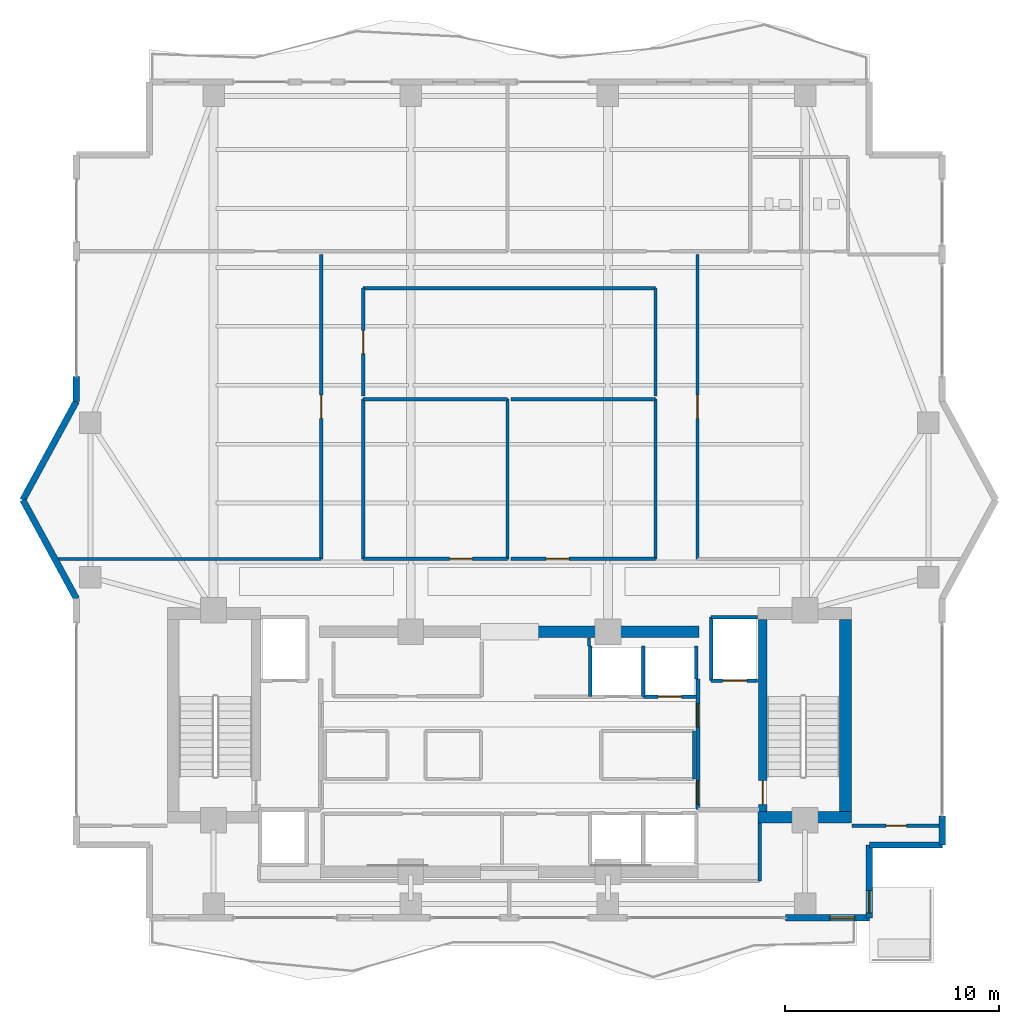
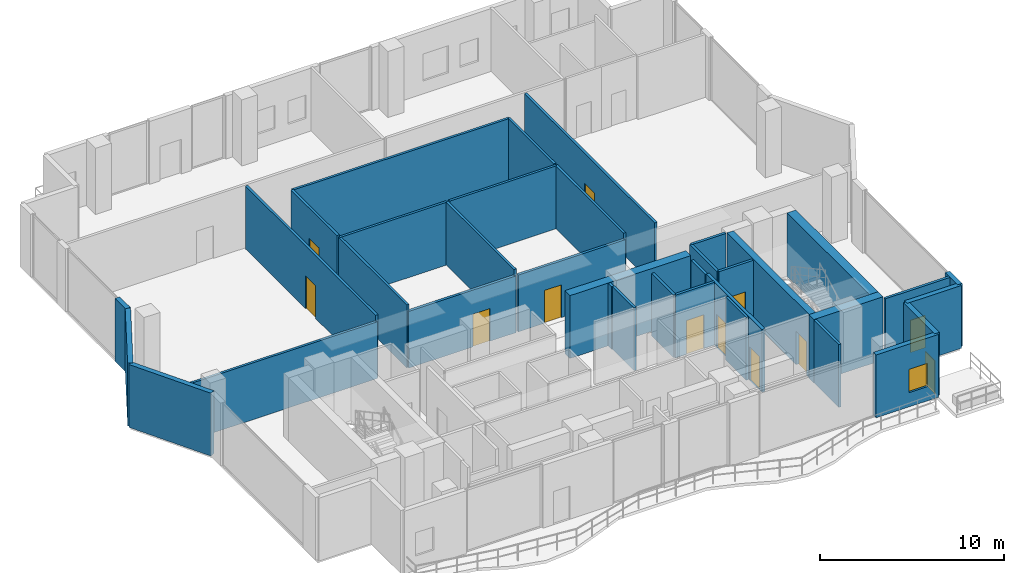
# One storey, part 18 of 23: 36 walls, 12 doors, 1 window, 13 openings.
"""IFC4 building model written with IfcOpenShell, lengths in metres."""

from ifc_helpers import new_model, si_unit, direction, frame, frame_2d, origin, place, context, subcontext, project, spatial, rectangle, extrude, material, layer, layer_set, type_object, element, fill, save


model = new_model("IFC4")

# Units and contexts
model_context = context("Model", 3, precision=1e-05, world=origin(), true_north=direction((0.0, 1.0)))
body_context = subcontext(model_context, "Body", "Model", "MODEL_VIEW")
ifc_project = project(units=[si_unit("LENGTHUNIT", "METRE"), si_unit("AREAUNIT", "SQUARE_METRE"), si_unit("VOLUMEUNIT", "CUBIC_METRE"), si_unit("PLANEANGLEUNIT", "RADIAN"), si_unit("MASSUNIT", "GRAM", prefix="KILO")], contexts=[model_context])

# Site, building, storey
site_placement = place(None, origin())
site = spatial("IfcSite", under=ifc_project, at=site_placement, CompositionType="ELEMENT")
building_placement = place(site_placement, origin())
building = spatial("IfcBuilding", under=site, at=building_placement, Name="Zuhayl Quay Hotel", CompositionType="ELEMENT")
storey_placement = place(building_placement, frame((0.0, 0.0, 288.449951171875)))
storey = spatial("IfcBuildingStorey", under=building, at=storey_placement, Name="L73", CompositionType="ELEMENT", Elevation=288.449951171875)

# Walls
ifc_material_1 = material(Name="Concrete C50/60", Category="concrete")
ifc_layer_1 = layer(ifc_material_1, 0.550048828125, Name="Concrete C50/60", Category="concrete")
ifc_layer_set_1 = layer_set([ifc_layer_1], Name="Concrete C50/60")
wall_type_1 = type_object("IfcWallType", Name="WL_CORE_550", PredefinedType="SHEAR", material=ifc_layer_set_1)
wall_1_placement = place(storey_placement, frame((15.68505859375, 4.969970703125, 0.0), z_axis=(0.0, 0.0, 1.0), x_axis=(0.0, 1.0, 0.0)))
element("IfcWall", 1, at=wall_1_placement, inside=storey, type_object=wall_type_1, Name="L73 Core Shear Wall CW_E", PredefinedType="SHEAR", context=body_context, shape_type="SweptSolid", body=[
    extrude(rectangle(XDim=8.9599609375, YDim=0.550048828125, at=frame_2d((4.47998046875, 0.0))), origin(), (0.0, 0.0, 1.0), 4.2099609375),
])
wall_2_placement = place(storey_placement, frame((11.60009765625, 4.695068359375, 0.0), z_axis=(0.0, 0.0, 1.0), x_axis=(1.0, 0.0, 0.0)))
element("IfcWall", 2, at=wall_2_placement, inside=storey, type_object=wall_type_1, Name="L73 Core Shear Wall CW_SE", PredefinedType="SHEAR", context=body_context, shape_type="SweptSolid", body=[
    extrude(rectangle(XDim=4.35986328125, YDim=0.550048828125, at=frame_2d((2.179931640625, 0.0))), origin(), (0.0, 0.0, 1.0), 4.2099609375),
])
wall_3_placement = place(storey_placement, frame((1.25, 13.35009765625, 0.0), z_axis=(0.0, 0.0, 1.0), x_axis=(1.0, 0.0, 0.0)))
element("IfcWall", 3, at=wall_3_placement, inside=storey, type_object=wall_type_1, Name="L73 Core Shear Wall CW_NC_E", PredefinedType="SHEAR", context=body_context, shape_type="SweptSolid", body=[
    extrude(rectangle(XDim=7.60009765625, YDim=0.550048828125, at=frame_2d((3.800048828125, 0.0))), origin(), (0.0, 0.0, 1.0), 4.179931640625),
])
ifc_material_2 = material(Name="Precast concrete C45/55", Category="concrete")
ifc_layer_2 = layer(ifc_material_2, 0.300048828125, Name="Precast concrete C45/55", Category="concrete")
ifc_layer_set_2 = layer_set([ifc_layer_2], Name="Precast concrete C45/55")
wall_type_2 = type_object("IfcWallType", Name="WL_EXT_300", PredefinedType="STANDARD", material=ifc_layer_set_2)
for number, where, z_axis, x_axis, name in (
    (4, (-20.199951171875, 14.89990234375, 0.0), (0.0, 0.0, 1.0), (-0.477505494629, 0.878628762675, 0.0), "L73 Exterior Precast Wall ENV_L73_EW03"),
    (5, (-22.699951171875, 19.5, 0.0), (0.0, 0.0, 1.0), (0.477505494629, 0.878628762675, 0.0), "L73 Exterior Precast Wall ENV_L73_EW04"),
):
    element("IfcWall", number, at=place(storey_placement, frame(where, z_axis=z_axis, x_axis=x_axis)), inside=storey, type_object=wall_type_2, Name=name, PredefinedType="STANDARD", context=body_context, shape_type="SweptSolid", body=[
        extrude(rectangle(XDim=5.235595703125, YDim=0.300048828125, at=frame_2d((2.61767578125, 0.0))), origin(), (0.0, 0.0, 1.0), 4.179931640625),
    ])
wall_4_placement = place(storey_placement, frame((-20.199951171875, 24.10009765625, 0.0), z_axis=(0.0, 0.0, 1.0), x_axis=(0.0, 1.0, 0.0)))
element("IfcWall", 6, at=wall_4_placement, inside=storey, type_object=wall_type_2, Name="L73 Exterior Precast Wall ENV_L73_E05_EW1", PredefinedType="STANDARD", context=body_context, shape_type="SweptSolid", body=[
    extrude(rectangle(XDim=1.14990234375, YDim=0.300048828125, at=frame_2d((0.574951171875, 0.0))), origin(), (0.0, 0.0, 1.0), 4.179931640625),
])
wall_5_placement = place(storey_placement, frame((20.199951171875, 4.75, 0.0), z_axis=(0.0, 0.0, 1.0), x_axis=(0.0, -1.0, 0.0)))
element("IfcWall", 7, at=wall_5_placement, inside=storey, type_object=wall_type_2, Name="L73 Exterior Precast Wall ENV_L73_E14_EW2", PredefinedType="STANDARD", context=body_context, shape_type="SweptSolid", body=[
    extrude(rectangle(XDim=1.35009765625, YDim=0.300048828125, at=frame_2d((0.675048828125, 0.0))), origin(), (0.0, 0.0, 1.0), 4.179931640625),
])
wall_6_placement = place(storey_placement, frame((20.199951171875, 3.39990234375, 0.0), z_axis=(0.0, 0.0, 1.0), x_axis=(-1.0, 0.0, 0.0)))
element("IfcWall", 8, at=wall_6_placement, inside=storey, type_object=wall_type_2, Name="L73 Exterior Precast Wall ENV_L73_EW15", PredefinedType="STANDARD", context=body_context, shape_type="SweptSolid", body=[
    extrude(rectangle(XDim=3.39990234375, YDim=0.300048828125, at=frame_2d((1.699951171875, 0.0))), origin(), (0.0, 0.0, 1.0), 4.179931640625),
])

# Wall, opening, door
wall_7_placement = place(storey_placement, frame((16.800048828125, 3.39990234375, 0.0), z_axis=(0.0, 0.0, 1.0), x_axis=(0.0, -1.0, 0.0)))
wall_7 = element("IfcWall", 9, at=wall_7_placement, inside=storey, type_object=wall_type_2, Name="L73 Exterior Precast Wall ENV_L73_SP_SE", PredefinedType="STANDARD", context=body_context, shape_type="SweptSolid", body=[
    extrude(rectangle(XDim=3.39990234375, YDim=0.300048828125, at=frame_2d((1.699951171875, 0.0))), origin(), (0.0, 0.0, 1.0), 4.179931640625),
])
opening_1_placement = place(wall_7_placement, frame((2.1298828125, 0.0, 0.0)))
opening_1 = element("IfcOpeningElement", 10, at=opening_1_placement, cuts=wall_7, Name="Opening DG1", PredefinedType="OPENING", context=body_context, shape_type="SweptSolid", body=[
    extrude(rectangle(XDim=1.050048828125, YDim=2.199951171875, at=frame_2d((0.52490234375, 1.10009765625))), frame((0.0, 0.159912109375, 0.0), z_axis=(0.0, -1.0, 0.0), x_axis=(1.0, 0.0, 0.0)), (0.0, 0.0, 1.0), 0.320068359375),
])
ifc_material_3 = material(Name="Anodised Aluminium and Dark Solar Glass", Category="aluminium")
door_type_1 = type_object("IfcDoorType", Name="DR_EXT_TERR_1050", OperationType="NOTDEFINED", PredefinedType="DOOR", material=ifc_material_3)
door_1_placement = place(opening_1_placement, origin())
door_1 = element("IfcDoor", 11, at=door_1_placement, inside=storey, type_object=door_type_1, Name="L73 Spiral Sky-Terrace SE Access Door", OperationType="SINGLE_SWING_LEFT", OverallHeight=2.199951171875, OverallWidth=1.050048828125, PredefinedType="DOOR", context=body_context, shape_type="SweptSolid", body=[
    extrude(rectangle(XDim=1.050048828125, YDim=2.199951171875, at=frame_2d((0.52490234375, 1.10009765625))), frame((0.0, 0.02490234375, 0.0), z_axis=(0.0, -1.0, 0.0), x_axis=(1.0, 0.0, 0.0)), (0.0, 0.0, 1.0), 0.050048828125),
])
fill(opening_1, door_1)

# Wall, opening, window
wall_8_placement = place(storey_placement, frame((16.800048828125, 0.0, 0.0), z_axis=(0.0, 0.0, 1.0), x_axis=(-1.0, 0.0, 0.0)))
wall_8 = element("IfcWall", 12, at=wall_8_placement, inside=storey, type_object=wall_type_2, Name="L73 Exterior Precast Wall ENV_L73_S_EW1", PredefinedType="STANDARD", context=body_context, shape_type="SweptSolid", body=[
    extrude(rectangle(XDim=3.920166015625, YDim=0.300048828125, at=frame_2d((1.9599609375, 0.0))), origin(), (0.0, 0.0, 1.0), 4.179931640625),
])
opening_2_placement = place(wall_8_placement, frame((0.695068359375, 0.0, 0.949951171875)))
opening_2 = element("IfcOpeningElement", 13, at=opening_2_placement, cuts=wall_8, Name="Opening W01N", PredefinedType="OPENING", context=body_context, shape_type="SweptSolid", body=[
    extrude(rectangle(XDim=1.14990234375, YDim=1.550048828125, at=frame_2d((0.574951171875, 0.77490234375))), frame((0.0, 0.159912109375, 0.0), z_axis=(0.0, -1.0, 0.0), x_axis=(1.0, 0.0, 0.0)), (0.0, 0.0, 1.0), 0.320068359375),
])
ifc_material_4 = material(Name="Dark Ceramic-Fritted Solar Glass", Category="glass")
window_type = type_object("IfcWindowType", Name="WN_NOTCH_1350", PartitioningType="SINGLE_PANEL", PredefinedType="WINDOW", material=ifc_material_4)
window_placement = place(opening_2_placement, origin())
window = element("IfcWindow", 14, at=window_placement, inside=storey, type_object=window_type, Name="L73 Operable Facade Window 1-1", OverallHeight=1.550048828125, OverallWidth=1.14990234375, PartitioningType="SINGLE_PANEL", PredefinedType="WINDOW", context=body_context, shape_type="SweptSolid", body=[
    extrude(rectangle(XDim=1.14990234375, YDim=1.550048828125, at=frame_2d((0.574951171875, 0.77490234375))), frame((0.0, 0.030029296875, 0.0), z_axis=(0.0, -1.0, 0.0), x_axis=(1.0, 0.0, 0.0)), (0.0, 0.0, 1.0), 0.06005859375),
])
fill(opening_2, window)

# Walls
ifc_material_5 = material(Name="Acoustic Gypsum Partition STC-58")
ifc_layer_3 = layer(ifc_material_5, 0.14990234375, Name="Acoustic Gypsum Partition STC-58")
ifc_layer_set_3 = layer_set([ifc_layer_3], Name="Acoustic Gypsum Partition STC-58")
wall_type_3 = type_object("IfcWallType", Name="WL_PART_150", PredefinedType="PARTITIONING", material=ifc_layer_set_3)
wall_9_placement = place(storey_placement, frame((8.610107421875, 6.47998046875, 0.0), z_axis=(0.0, 0.0, 1.0), x_axis=(0.0, 1.0, 0.0)))
element("IfcWall", 15, at=wall_9_placement, inside=storey, type_object=wall_type_3, Name="L73 Partition IW_L73_CORE_VL_E", PredefinedType="PARTITIONING", context=body_context, shape_type="SweptSolid", body=[
    extrude(rectangle(XDim=2.239990234375, YDim=0.14990234375, at=frame_2d((1.1201171875, 0.0))), origin(), (0.0, 0.0, 1.0), 4.179931640625),
])
wall_10_placement = place(storey_placement, frame((3.719970703125, 12.679931640625, 0.0), z_axis=(0.0, 0.0, 1.0), x_axis=(0.0, 1.0, 0.0)))
element("IfcWall", 16, at=wall_10_placement, inside=storey, type_object=wall_type_3, Name="L73 Partition IW_L73_VEST_MP4_E", PredefinedType="PARTITIONING", context=body_context, shape_type="SweptSolid", body=[
    extrude(rectangle(XDim=0.3701171875, YDim=0.14990234375, at=frame_2d((0.18505859375, 0.0))), origin(), (0.0, 0.0, 1.0), 4.179931640625),
])
wall_11_placement = place(storey_placement, frame((11.679931640625, 1.719970703125, 0.0), z_axis=(0.0, 0.0, 1.0), x_axis=(0.0, 1.0, 0.0)))
element("IfcWall", 17, at=wall_11_placement, inside=storey, type_object=wall_type_3, Name="L73 Partition IW_L73_Z4_SUN_SE_IN", PredefinedType="PARTITIONING", context=body_context, shape_type="SweptSolid", body=[
    extrude(rectangle(XDim=2.699951171875, YDim=0.14990234375, at=frame_2d((1.35009765625, 0.0))), origin(), (0.0, 0.0, 1.0), 4.179931640625),
])
wall_12_placement = place(storey_placement, frame((-6.820068359375, 24.199951171875, 0.0), z_axis=(0.0, 0.0, 1.0), x_axis=(1.0, 0.0, 0.0)))
element("IfcWall", 18, at=wall_12_placement, inside=storey, type_object=wall_type_3, Name="L73 Partition IW_L73_CIGAR_RM_N", PredefinedType="PARTITIONING", context=body_context, shape_type="SweptSolid", body=[
    extrude(rectangle(XDim=6.739990234375, YDim=0.14990234375, at=frame_2d((3.3701171875, 0.0))), origin(), (0.0, 0.0, 1.0), 4.179931640625),
])
for number, where, z_axis, x_axis, name in (
    (19, (-6.820068359375, 16.75, 0.0), (0.0, 0.0, 1.0), (0.0, 1.0, 0.0), "L73 Partition IW_L73_CIGAR_RM_W"),
    (20, (-0.080078125, 16.75, 0.0), (0.0, 0.0, 1.0), (0.0, 1.0, 0.0), "L73 Partition IW_L73_CIGAR_RM_E"),
):
    element("IfcWall", number, at=place(storey_placement, frame(where, z_axis=z_axis, x_axis=x_axis)), inside=storey, type_object=wall_type_3, Name=name, PredefinedType="PARTITIONING", context=body_context, shape_type="SweptSolid", body=[
        extrude(rectangle(XDim=7.449951171875, YDim=0.14990234375, at=frame_2d((3.72509765625, 0.0))), origin(), (0.0, 0.0, 1.0), 4.179931640625),
    ])
wall_13_placement = place(storey_placement, frame((0.080078125, 24.199951171875, 0.0), z_axis=(0.0, 0.0, 1.0), x_axis=(1.0, 0.0, 0.0)))
element("IfcWall", 21, at=wall_13_placement, inside=storey, type_object=wall_type_3, Name="L73 Partition IW_L73_TEA_GALL_N", PredefinedType="PARTITIONING", context=body_context, shape_type="SweptSolid", body=[
    extrude(rectangle(XDim=6.739990234375, YDim=0.14990234375, at=frame_2d((3.3701171875, 0.0))), origin(), (0.0, 0.0, 1.0), 4.179931640625),
])
wall_14_placement = place(storey_placement, frame((6.820068359375, 16.75, 0.0), z_axis=(0.0, 0.0, 1.0), x_axis=(0.0, 1.0, 0.0)))
element("IfcWall", 22, at=wall_14_placement, inside=storey, type_object=wall_type_3, Name="L73 Partition IW_L73_TEA_GALL_E", PredefinedType="PARTITIONING", context=body_context, shape_type="SweptSolid", body=[
    extrude(rectangle(XDim=7.449951171875, YDim=0.14990234375, at=frame_2d((3.72509765625, 0.0))), origin(), (0.0, 0.0, 1.0), 4.179931640625),
])
wall_15_placement = place(storey_placement, frame((-6.820068359375, 29.3798828125, 0.0), z_axis=(0.0, 0.0, 1.0), x_axis=(1.0, 0.0, 0.0)))
element("IfcWall", 23, at=wall_15_placement, inside=storey, type_object=wall_type_3, Name="L73 Partition IW_L73_VIP_ALCOVE_N", PredefinedType="PARTITIONING", context=body_context, shape_type="SweptSolid", body=[
    extrude(rectangle(XDim=13.64013671875, YDim=0.14990234375, at=frame_2d((6.820068359375, 0.0))), origin(), (0.0, 0.0, 1.0), 4.179931640625),
])
wall_16_placement = place(storey_placement, frame((6.820068359375, 24.360107421875, 0.0), z_axis=(0.0, 0.0, 1.0), x_axis=(0.0, 1.0, 0.0)))
element("IfcWall", 24, at=wall_16_placement, inside=storey, type_object=wall_type_3, Name="L73 Partition IW_L73_VIP_ALCOVE_E", PredefinedType="PARTITIONING", context=body_context, shape_type="SweptSolid", body=[
    extrude(rectangle(XDim=5.019775390625, YDim=0.14990234375, at=frame_2d((2.509765625, 0.0))), origin(), (0.0, 0.0, 1.0), 4.179931640625),
])
wall_17_placement = place(storey_placement, frame((-21.1455078125, 16.75, 0.0), z_axis=(0.0, 0.0, 1.0), x_axis=(1.0, 0.0, 0.0)))
element("IfcWall", 25, at=wall_17_placement, inside=storey, type_object=wall_type_3, Name="L73 Partition IW_L73_WEST_SALON_S", PredefinedType="PARTITIONING", context=body_context, shape_type="SweptSolid", body=[
    extrude(rectangle(XDim=12.365478515625, YDim=0.14990234375, at=frame_2d((6.1826171875, 0.0))), origin(), (0.0, 0.0, 1.0), 3.776123046875),
])

# Wall, opening, door
ifc_layer_4 = layer(ifc_material_5, 0.159912109375, Name="Acoustic Gypsum Partition STC-58")
ifc_layer_set_4 = layer_set([ifc_layer_4], Name="Acoustic Gypsum Partition STC-58")
wall_type_4 = type_object("IfcWallType", Name="WL_PART_CORR_160", PredefinedType="PARTITIONING", material=ifc_layer_set_4)
wall_18_placement = place(storey_placement, frame((15.97998046875, 4.300048828125, 0.0), z_axis=(0.0, 0.0, 1.0), x_axis=(1.0, 0.0, 0.0)))
wall_18 = element("IfcWall", 26, at=wall_18_placement, inside=storey, type_object=wall_type_4, Name="L73 Partition IW_L73_Z4_SUN_SE_N", PredefinedType="PARTITIONING", context=body_context, shape_type="SweptSolid", body=[
    extrude(rectangle(XDim=4.159912109375, YDim=0.159912109375, at=frame_2d((2.080078125, 0.0))), origin(), (0.0, 0.0, 1.0), 4.179931640625),
])
opening_3_placement = place(wall_18_placement, frame((1.60498046875, 0.0, 0.0)))
opening_3 = element("IfcOpeningElement", 27, at=opening_3_placement, cuts=wall_18, Name="Opening D03", PredefinedType="OPENING", context=body_context, shape_type="SweptSolid", body=[
    extrude(rectangle(XDim=0.949951171875, YDim=2.14990234375, at=frame_2d((0.47509765625, 1.074951171875))), frame((0.0, 0.08984375, 0.0), z_axis=(0.0, -1.0, 0.0), x_axis=(1.0, 0.0, 0.0)), (0.0, 0.0, 1.0), 0.179931640625),
])
ifc_material_6 = material(Name="Solid Walnut Acoustic Fire Door")
door_type_2 = type_object("IfcDoorType", Name="DR_SUITE_950", OperationType="NOTDEFINED", PredefinedType="DOOR", material=ifc_material_6)
door_2_placement = place(opening_3_placement, origin())
door_2 = element("IfcDoor", 28, at=door_2_placement, inside=storey, type_object=door_type_2, Name="L73 Sunset Salon SE Door", OperationType="SINGLE_SWING_LEFT", OverallHeight=2.14990234375, OverallWidth=0.949951171875, PredefinedType="DOOR", context=body_context, shape_type="SweptSolid", body=[
    extrude(rectangle(XDim=0.949951171875, YDim=2.14990234375, at=frame_2d((0.47509765625, 1.074951171875))), frame((0.0, 0.02490234375, 0.0), z_axis=(0.0, -1.0, 0.0), x_axis=(1.0, 0.0, 0.0)), (0.0, 0.0, 1.0), 0.050048828125),
])
fill(opening_3, door_2)

wall_19_placement = place(storey_placement, frame((-6.820068359375, 16.75, 0.0), z_axis=(0.0, 0.0, 1.0), x_axis=(1.0, 0.0, 0.0)))
wall_19 = element("IfcWall", 29, at=wall_19_placement, inside=storey, type_object=wall_type_4, Name="L73 Partition IW_L73_CIGAR_RM_S", PredefinedType="PARTITIONING", context=body_context, shape_type="SweptSolid", body=[
    extrude(rectangle(XDim=6.739990234375, YDim=0.159912109375, at=frame_2d((3.3701171875, 0.0))), origin(), (0.0, 0.0, 1.0), 3.776123046875),
])
opening_4_placement = place(wall_19_placement, frame((4.030029296875, 0.0, 0.0)))
opening_4 = element("IfcOpeningElement", 30, at=opening_4_placement, cuts=wall_19, Name="Opening D05A", PredefinedType="OPENING", context=body_context, shape_type="SweptSolid", body=[
    extrude(rectangle(XDim=1.080078125, YDim=2.179931640625, at=frame_2d((0.5400390625, 1.08984375))), frame((0.0, 0.08984375, 0.0), z_axis=(0.0, -1.0, 0.0), x_axis=(1.0, 0.0, 0.0)), (0.0, 0.0, 1.0), 0.179931640625),
])
door_type_3 = type_object("IfcDoorType", Name="DR_INT_1100", OperationType="NOTDEFINED", PredefinedType="DOOR", material=ifc_material_6)
door_3_placement = place(opening_4_placement, origin())
door_3 = element("IfcDoor", 31, at=door_3_placement, inside=storey, type_object=door_type_3, Name="L73 Gulf View Cigar Lounge Door", OperationType="SINGLE_SWING_RIGHT", OverallHeight=2.179931640625, OverallWidth=1.080078125, PredefinedType="DOOR", context=body_context, shape_type="SweptSolid", body=[
    extrude(rectangle(XDim=1.080078125, YDim=2.179931640625, at=frame_2d((0.5400390625, 1.08984375))), frame((0.0, 0.02490234375, 0.0), z_axis=(0.0, -1.0, 0.0), x_axis=(1.0, 0.0, 0.0)), (0.0, 0.0, 1.0), 0.050048828125),
])
fill(opening_4, door_3)

wall_20_placement = place(storey_placement, frame((0.080078125, 16.75, 0.0), z_axis=(0.0, 0.0, 1.0), x_axis=(1.0, 0.0, 0.0)))
wall_20 = element("IfcWall", 32, at=wall_20_placement, inside=storey, type_object=wall_type_4, Name="L73 Partition IW_L73_TEA_GALL_S", PredefinedType="PARTITIONING", context=body_context, shape_type="SweptSolid", body=[
    extrude(rectangle(XDim=6.739990234375, YDim=0.159912109375, at=frame_2d((3.3701171875, 0.0))), origin(), (0.0, 0.0, 1.0), 3.776123046875),
])
opening_5_placement = place(wall_20_placement, frame((1.6298828125, 0.0, 0.0)))
opening_5 = element("IfcOpeningElement", 33, at=opening_5_placement, cuts=wall_20, Name="Opening D05A", PredefinedType="OPENING", context=body_context, shape_type="SweptSolid", body=[
    extrude(rectangle(XDim=1.080078125, YDim=2.179931640625, at=frame_2d((0.5400390625, 1.08984375))), frame((0.0, 0.08984375, 0.0), z_axis=(0.0, -1.0, 0.0), x_axis=(1.0, 0.0, 0.0)), (0.0, 0.0, 1.0), 0.179931640625),
])
door_4_placement = place(opening_5_placement, origin())
door_4 = element("IfcDoor", 34, at=door_4_placement, inside=storey, type_object=door_type_3, Name="L73 Levantine Sky Tea Room Door", OperationType="SINGLE_SWING_LEFT", OverallHeight=2.179931640625, OverallWidth=1.080078125, PredefinedType="DOOR", context=body_context, shape_type="SweptSolid", body=[
    extrude(rectangle(XDim=1.080078125, YDim=2.179931640625, at=frame_2d((0.5400390625, 1.08984375))), frame((0.0, 0.02490234375, 0.0), z_axis=(0.0, -1.0, 0.0), x_axis=(1.0, 0.0, 0.0)), (0.0, 0.0, 1.0), 0.050048828125),
])
fill(opening_5, door_4)

wall_21_placement = place(storey_placement, frame((-6.820068359375, 24.360107421875, 0.0), z_axis=(0.0, 0.0, 1.0), x_axis=(0.0, 1.0, 0.0)))
wall_21 = element("IfcWall", 35, at=wall_21_placement, inside=storey, type_object=wall_type_4, Name="L73 Partition IW_L73_VIP_ALCOVE_W", PredefinedType="PARTITIONING", context=body_context, shape_type="SweptSolid", body=[
    extrude(rectangle(XDim=5.019775390625, YDim=0.159912109375, at=frame_2d((2.509765625, 0.0))), origin(), (0.0, 0.0, 1.0), 4.179931640625),
])
opening_6_placement = place(wall_21_placement, frame((1.969970703125, 0.0, 0.0)))
opening_6 = element("IfcOpeningElement", 36, at=opening_6_placement, cuts=wall_21, Name="Opening D05A", PredefinedType="OPENING", context=body_context, shape_type="SweptSolid", body=[
    extrude(rectangle(XDim=1.080078125, YDim=2.179931640625, at=frame_2d((0.5400390625, 1.08984375))), frame((0.0, 0.08984375, 0.0), z_axis=(0.0, -1.0, 0.0), x_axis=(1.0, 0.0, 0.0)), (0.0, 0.0, 1.0), 0.179931640625),
])
door_5_placement = place(opening_6_placement, origin())
door_5 = element("IfcDoor", 37, at=door_5_placement, inside=storey, type_object=door_type_3, Name="L73 Beverage Cellar Storage Room Door", OperationType="SINGLE_SWING_RIGHT", OverallHeight=2.179931640625, OverallWidth=1.080078125, PredefinedType="DOOR", context=body_context, shape_type="SweptSolid", body=[
    extrude(rectangle(XDim=1.080078125, YDim=2.179931640625, at=frame_2d((0.5400390625, 1.08984375))), frame((0.0, 0.02490234375, 0.0), z_axis=(0.0, -1.0, 0.0), x_axis=(1.0, 0.0, 0.0)), (0.0, 0.0, 1.0), 0.050048828125),
])
fill(opening_6, door_5)

wall_22_placement = place(storey_placement, frame((-8.780029296875, 16.75, 0.0), z_axis=(0.0, 0.0, 1.0), x_axis=(0.0, 1.0, 0.0)))
wall_22 = element("IfcWall", 38, at=wall_22_placement, inside=storey, type_object=wall_type_4, Name="L73 Partition IW_L73_WEST_SALON_E", PredefinedType="PARTITIONING", context=body_context, shape_type="SweptSolid", body=[
    extrude(rectangle(XDim=14.199951171875, YDim=0.159912109375, at=frame_2d((7.10009765625, 0.0))), origin(), (0.0, 0.0, 1.0), 4.179931640625),
])
opening_7_placement = place(wall_22_placement, frame((6.56005859375, 0.0, 0.0)))
opening_7 = element("IfcOpeningElement", 39, at=opening_7_placement, cuts=wall_22, Name="Opening D05A", PredefinedType="OPENING", context=body_context, shape_type="SweptSolid", body=[
    extrude(rectangle(XDim=1.080078125, YDim=2.179931640625, at=frame_2d((0.5400390625, 1.08984375))), frame((0.0, 0.08984375, 0.0), z_axis=(0.0, -1.0, 0.0), x_axis=(1.0, 0.0, 0.0)), (0.0, 0.0, 1.0), 0.179931640625),
])
door_6_placement = place(opening_7_placement, origin())
door_6 = element("IfcDoor", 40, at=door_6_placement, inside=storey, type_object=door_type_3, Name="L73 West Sunset Cocktail Salon Door", OperationType="SINGLE_SWING_LEFT", OverallHeight=2.179931640625, OverallWidth=1.080078125, PredefinedType="DOOR", context=body_context, shape_type="SweptSolid", body=[
    extrude(rectangle(XDim=1.080078125, YDim=2.179931640625, at=frame_2d((0.5400390625, 1.08984375))), frame((0.0, 0.02490234375, 0.0), z_axis=(0.0, -1.0, 0.0), x_axis=(1.0, 0.0, 0.0)), (0.0, 0.0, 1.0), 0.050048828125),
])
fill(opening_7, door_6)

wall_23_placement = place(storey_placement, frame((8.780029296875, 16.75, 0.0), z_axis=(0.0, 0.0, 1.0), x_axis=(0.0, 1.0, 0.0)))
wall_23 = element("IfcWall", 41, at=wall_23_placement, inside=storey, type_object=wall_type_4, Name="L73 Partition IW_L73_BAR_PANTRY_W", PredefinedType="PARTITIONING", context=body_context, shape_type="SweptSolid", body=[
    extrude(rectangle(XDim=14.199951171875, YDim=0.159912109375, at=frame_2d((7.10009765625, 0.0))), origin(), (0.0, 0.0, 1.0), 4.179931640625),
])
opening_8_placement = place(wall_23_placement, frame((6.56005859375, 0.0, 0.0)))
opening_8 = element("IfcOpeningElement", 42, at=opening_8_placement, cuts=wall_23, Name="Opening D05A", PredefinedType="OPENING", context=body_context, shape_type="SweptSolid", body=[
    extrude(rectangle(XDim=1.080078125, YDim=2.179931640625, at=frame_2d((0.5400390625, 1.08984375))), frame((0.0, 0.08984375, 0.0), z_axis=(0.0, -1.0, 0.0), x_axis=(1.0, 0.0, 0.0)), (0.0, 0.0, 1.0), 0.179931640625),
])
door_7_placement = place(opening_8_placement, origin())
door_7 = element("IfcDoor", 43, at=door_7_placement, inside=storey, type_object=door_type_3, Name="L73 Commercial Catering Kitchen Door", OperationType="SINGLE_SWING_RIGHT", OverallHeight=2.179931640625, OverallWidth=1.080078125, PredefinedType="DOOR", context=body_context, shape_type="SweptSolid", body=[
    extrude(rectangle(XDim=1.080078125, YDim=2.179931640625, at=frame_2d((0.5400390625, 1.08984375))), frame((0.0, 0.02490234375, 0.0), z_axis=(0.0, -1.0, 0.0), x_axis=(1.0, 0.0, 0.0)), (0.0, 0.0, 1.0), 0.050048828125),
])
fill(opening_8, door_7)

ifc_material_7 = material(Name="Gypsum Fireboard Assembly EI-90")
ifc_layer_5 = layer(ifc_material_7, 0.1650390625, Name="Gypsum Fireboard Assembly EI-90")
ifc_layer_set_5 = layer_set([ifc_layer_5], Name="Gypsum Fireboard Assembly EI-90")
wall_type_5 = type_object("IfcWallType", Name="WL_PART_SHAFT_160", PredefinedType="PARTITIONING", material=ifc_layer_set_5)
wall_24_placement = place(storey_placement, frame((9.419921875, 11.070068359375, 0.0), z_axis=(0.0, 0.0, 1.0), x_axis=(1.0, 0.0, 0.0)))
wall_24 = element("IfcWall", 44, at=wall_24_placement, inside=storey, type_object=wall_type_5, Name="L73 Partition IW_L73_SH_FL2_F", PredefinedType="PARTITIONING", context=body_context, shape_type="SweptSolid", body=[
    extrude(rectangle(XDim=2.16015625, YDim=0.1650390625, at=frame_2d((1.080078125, 0.0))), origin(), (0.0, 0.0, 1.0), 4.179931640625),
])
opening_9_placement = place(wall_24_placement, frame((0.530029296875, 0.0, 0.0)))
opening_9 = element("IfcOpeningElement", 45, at=opening_9_placement, cuts=wall_24, Name="Opening LD2", PredefinedType="OPENING", context=body_context, shape_type="SweptSolid", body=[
    extrude(rectangle(XDim=1.14990234375, YDim=2.25, at=frame_2d((0.574951171875, 1.125))), frame((0.0, 0.092529296875, 0.0), z_axis=(0.0, -1.0, 0.0), x_axis=(1.0, 0.0, 0.0)), (0.0, 0.0, 1.0), 0.18505859375),
])
ifc_material_8 = material(Name="Brushed Stainless Steel", Category="steel")
door_type_4 = type_object("IfcDoorType", Name="DR_LIFT_FF_1100", OperationType="SLIDING_TO_LEFT", PredefinedType="DOOR", material=ifc_material_8)
door_8_placement = place(opening_9_placement, origin())
door_8 = element("IfcDoor", 46, at=door_8_placement, inside=storey, type_object=door_type_4, Name="L73 Lift FL2 Sliding Landing Door", OperationType="SLIDING_TO_LEFT", OverallHeight=2.25, OverallWidth=1.14990234375, PredefinedType="DOOR", context=body_context, shape_type="SweptSolid", body=[
    extrude(rectangle(XDim=1.14990234375, YDim=2.25, at=frame_2d((0.574951171875, 1.125))), frame((0.0, 0.02490234375, 0.0), z_axis=(0.0, -1.0, 0.0), x_axis=(1.0, 0.0, 0.0)), (0.0, 0.0, 1.0), 0.050048828125),
])
fill(opening_9, door_8)

wall_25_placement = place(storey_placement, frame((6.25, 10.320068359375, 0.0), z_axis=(0.0, 0.0, 1.0), x_axis=(1.0, 0.0, 0.0)))
wall_25 = element("IfcWall", 47, at=wall_25_placement, inside=storey, type_object=wall_type_5, Name="L73 Partition IW_L73_SH_HP4_F", PredefinedType="PARTITIONING", context=body_context, shape_type="SweptSolid", body=[
    extrude(rectangle(XDim=2.47998046875, YDim=0.1650390625, at=frame_2d((1.239990234375, 0.0))), origin(), (0.0, 0.0, 1.0), 4.179931640625),
])
opening_10_placement = place(wall_25_placement, frame((0.68994140625, 0.0, 0.0)))
opening_10 = element("IfcOpeningElement", 48, at=opening_10_placement, cuts=wall_25, Name="Opening LD1", PredefinedType="OPENING", context=body_context, shape_type="SweptSolid", body=[
    extrude(rectangle(XDim=1.10009765625, YDim=2.25, at=frame_2d((0.550048828125, 1.125))), frame((0.0, 0.092529296875, 0.0), z_axis=(0.0, -1.0, 0.0), x_axis=(1.0, 0.0, 0.0)), (0.0, 0.0, 1.0), 0.18505859375),
])
door_type_5 = type_object("IfcDoorType", Name="DR_LIFT_PASS_1100", OperationType="SLIDING_TO_LEFT", PredefinedType="DOOR", material=ifc_material_8)
door_9_placement = place(opening_10_placement, origin())
door_9 = element("IfcDoor", 49, at=door_9_placement, inside=storey, type_object=door_type_5, Name="L73 Lift HP4 Sliding Landing Door", OperationType="SLIDING_TO_LEFT", OverallHeight=2.25, OverallWidth=1.10009765625, PredefinedType="DOOR", context=body_context, shape_type="SweptSolid", body=[
    extrude(rectangle(XDim=1.10009765625, YDim=2.25, at=frame_2d((0.550048828125, 1.125))), frame((0.0, 0.02490234375, 0.0), z_axis=(0.0, -1.0, 0.0), x_axis=(1.0, 0.0, 0.0)), (0.0, 0.0, 1.0), 0.050048828125),
])
fill(opening_10, door_9)

# Walls
wall_26_placement = place(storey_placement, frame((9.419921875, 11.070068359375, 0.0), z_axis=(0.0, 0.0, 1.0), x_axis=(0.0, 1.0, 0.0)))
element("IfcWall", 50, at=wall_26_placement, inside=storey, type_object=wall_type_5, Name="L73 Partition IW_L73_SH_FL2_W", PredefinedType="PARTITIONING", context=body_context, shape_type="SweptSolid", body=[
    extrude(rectangle(XDim=2.9599609375, YDim=0.1650390625, at=frame_2d((1.47998046875, 0.0))), origin(), (0.0, 0.0, 1.0), 4.179931640625),
])
wall_27_placement = place(storey_placement, frame((9.419921875, 14.030029296875, 0.0), z_axis=(0.0, 0.0, 1.0), x_axis=(1.0, 0.0, 0.0)))
element("IfcWall", 51, at=wall_27_placement, inside=storey, type_object=wall_type_5, Name="L73 Partition IW_L73_SH_FL2_B", PredefinedType="PARTITIONING", context=body_context, shape_type="SweptSolid", body=[
    extrude(rectangle(XDim=2.16015625, YDim=0.1650390625, at=frame_2d((1.080078125, 0.0))), origin(), (0.0, 0.0, 1.0), 4.179931640625),
])
for number, where, z_axis, x_axis, name in (
    (52, (3.77001953125, 10.320068359375, 0.0), (0.0, 0.0, 1.0), (0.0, 1.0, 0.0), "L73 Partition IW_L73_SH_HP3_W"),
    (53, (6.25, 10.320068359375, 0.0), (0.0, 0.0, 1.0), (0.0, 1.0, 0.0), "L73 Partition IW_L73_SH_HP3_E"),
):
    element("IfcWall", number, at=place(storey_placement, frame(where, z_axis=z_axis, x_axis=x_axis)), inside=storey, type_object=wall_type_5, Name=name, PredefinedType="PARTITIONING", context=body_context, shape_type="SweptSolid", body=[
        extrude(rectangle(XDim=2.35986328125, YDim=0.1650390625, at=frame_2d((1.179931640625, 0.0))), origin(), (0.0, 0.0, 1.0), 4.179931640625),
    ])
wall_28_placement = place(storey_placement, frame((8.72998046875, 11.14990234375, 0.0), z_axis=(0.0, 0.0, 1.0), x_axis=(0.0, 1.0, 0.0)))
element("IfcWall", 54, at=wall_28_placement, inside=storey, type_object=wall_type_5, Name="L73 Partition IW_L73_SH_HP4_E", PredefinedType="PARTITIONING", context=body_context, shape_type="SweptSolid", body=[
    extrude(rectangle(XDim=1.530029296875, YDim=0.1650390625, at=frame_2d((0.76513671875, 0.0))), origin(), (0.0, 0.0, 1.0), 4.179931640625),
])

# Wall, openings, doors
ifc_material_9 = material(Name="Gypsum Fireboard Assembly EI-120")
ifc_layer_6 = layer(ifc_material_9, 0.199951171875, Name="Gypsum Fireboard Assembly EI-120")
ifc_layer_set_6 = layer_set([ifc_layer_6], Name="Gypsum Fireboard Assembly EI-120")
wall_type_6 = type_object("IfcWallType", Name="WL_PART_SHAFT_200", PredefinedType="PARTITIONING", material=ifc_layer_set_6)
wall_29_placement = place(storey_placement, frame((8.800048828125, 11.14990234375, 0.0), z_axis=(0.0, 0.0, 1.0), x_axis=(0.0, -1.0, 0.0)))
wall_29 = element("IfcWall", 55, at=wall_29_placement, inside=storey, type_object=wall_type_6, Name="L73 Partition IW_L73_FSAE_E_W", PredefinedType="PARTITIONING", context=body_context, shape_type="SweptSolid", body=[
    extrude(rectangle(XDim=6.099853515625, YDim=0.199951171875, at=frame_2d((3.0498046875, 0.0))), origin(), (0.0, 0.0, 1.0), 4.179931640625),
])
opening_11_placement = place(wall_29_placement, frame((1.14990234375, 0.0, 0.0)))
opening_11 = element("IfcOpeningElement", 56, at=opening_11_placement, cuts=wall_29, Name="Opening D02", PredefinedType="OPENING", context=body_context, shape_type="SweptSolid", body=[
    extrude(rectangle(XDim=1.10009765625, YDim=2.199951171875, at=frame_2d((0.550048828125, 1.10009765625))), frame((0.0, 0.10986328125, 0.0), z_axis=(0.0, -1.0, 0.0), x_axis=(1.0, 0.0, 0.0)), (0.0, 0.0, 1.0), 0.219970703125),
])
opening_12_placement = place(wall_29_placement, frame((4.75, 0.0, 0.0)))
opening_12 = element("IfcOpeningElement", 57, at=opening_12_placement, cuts=wall_29, Name="Opening D02", PredefinedType="OPENING", context=body_context, shape_type="SweptSolid", body=[
    extrude(rectangle(XDim=1.10009765625, YDim=2.199951171875, at=frame_2d((0.550048828125, 1.10009765625))), frame((0.0, 0.10986328125, 0.0), z_axis=(0.0, -1.0, 0.0), x_axis=(1.0, 0.0, 0.0)), (0.0, 0.0, 1.0), 0.219970703125),
])
ifc_material_10 = material(Name="Steel ASTM A992 Grade 50", Category="steel")
door_type_6 = type_object("IfcDoorType", Name="DR_FIRE_90_1100", OperationType="NOTDEFINED", PredefinedType="DOOR", material=ifc_material_10)
door_10_placement = place(opening_11_placement, origin())
door_10 = element("IfcDoor", 58, at=door_10_placement, inside=storey, type_object=door_type_6, Name="L73 FSAE Lobby East North Entry Door", OperationType="SINGLE_SWING_RIGHT", OverallHeight=2.199951171875, OverallWidth=1.10009765625, PredefinedType="DOOR", context=body_context, shape_type="SweptSolid", body=[
    extrude(rectangle(XDim=1.10009765625, YDim=2.199951171875, at=frame_2d((0.550048828125, 1.10009765625))), frame((0.0, 0.02490234375, 0.0), z_axis=(0.0, -1.0, 0.0), x_axis=(1.0, 0.0, 0.0)), (0.0, 0.0, 1.0), 0.050048828125),
])
fill(opening_11, door_10)
door_11_placement = place(opening_12_placement, origin())
door_11 = element("IfcDoor", 59, at=door_11_placement, inside=storey, type_object=door_type_6, Name="L73 FSAE Lobby East South Entry Door", OperationType="SINGLE_SWING_LEFT", OverallHeight=2.199951171875, OverallWidth=1.10009765625, PredefinedType="DOOR", context=body_context, shape_type="SweptSolid", body=[
    extrude(rectangle(XDim=1.10009765625, YDim=2.199951171875, at=frame_2d((0.550048828125, 1.10009765625))), frame((0.0, 0.02490234375, 0.0), z_axis=(0.0, -1.0, 0.0), x_axis=(1.0, 0.0, 0.0)), (0.0, 0.0, 1.0), 0.050048828125),
])
fill(opening_12, door_11)

# Wall, opening, door
ifc_material_11 = material(Name="Concrete C60/75", Category="concrete")
ifc_layer_7 = layer(ifc_material_11, 0.39990234375, Name="Concrete C60/75", Category="concrete")
ifc_layer_set_7 = layer_set([ifc_layer_7], Name="Concrete C60/75")
wall_type_7 = type_object("IfcWallType", Name="WL_STAIR_400", PredefinedType="SHEAR", material=ifc_layer_set_7)
wall_30_placement = place(storey_placement, frame((11.820068359375, 13.929931640625, 0.0), z_axis=(0.0, 0.0, 1.0), x_axis=(0.0, -1.0, 0.0)))
wall_30 = element("IfcWall", 60, at=wall_30_placement, inside=storey, type_object=wall_type_7, Name="L73 Core Shear Wall SW_ST2", PredefinedType="SHEAR", context=body_context, shape_type="SweptSolid", body=[
    extrude(rectangle(XDim=8.9599609375, YDim=0.39990234375, at=frame_2d((4.47998046875, 0.0))), origin(), (0.0, 0.0, 1.0), 4.2099609375),
])
opening_13_placement = place(wall_30_placement, frame((7.530029296875, 0.0, 0.0)))
opening_13 = element("IfcOpeningElement", 61, at=opening_13_placement, cuts=wall_30, Name="Opening D01", PredefinedType="OPENING", context=body_context, shape_type="SweptSolid", body=[
    extrude(rectangle(XDim=1.1201171875, YDim=2.219970703125, at=frame_2d((0.56005859375, 1.10986328125))), frame((0.0, 0.2099609375, 0.0), z_axis=(0.0, -1.0, 0.0), x_axis=(1.0, 0.0, 0.0)), (0.0, 0.0, 1.0), 0.419921875),
])
door_type_7 = type_object("IfcDoorType", Name="DR_STAIR_90_1100", OperationType="NOTDEFINED", PredefinedType="DOOR", material=ifc_material_10)
door_12_placement = place(opening_13_placement, origin())
door_12 = element("IfcDoor", 62, at=door_12_placement, inside=storey, type_object=door_type_7, Name="L73 Smokeproof Exit Stair ST2 Door", OperationType="SINGLE_SWING_RIGHT", OverallHeight=2.219970703125, OverallWidth=1.1201171875, PredefinedType="DOOR", context=body_context, shape_type="SweptSolid", body=[
    extrude(rectangle(XDim=1.1201171875, YDim=2.219970703125, at=frame_2d((0.56005859375, 1.10986328125))), frame((0.0, 0.02490234375, 0.0), z_axis=(0.0, -1.0, 0.0), x_axis=(1.0, 0.0, 0.0)), (0.0, 0.0, 1.0), 0.050048828125),
])
fill(opening_13, door_12)

save(model, "model.ifc")
